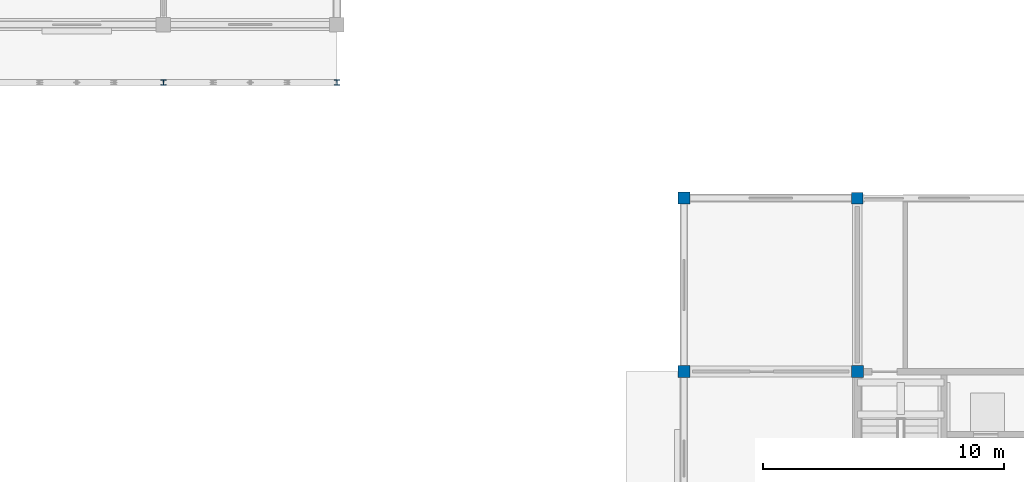
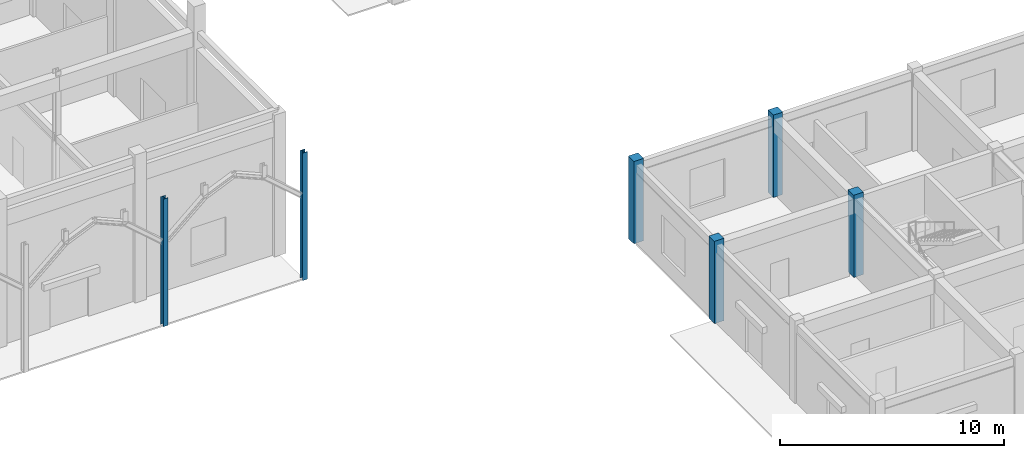
# One storey, part 6 of 138: 6 columns.
"""IFC4 building model written with IfcOpenShell, lengths in metres."""

import ifcopenshell
import ifcopenshell.guid

model = None  # the IFC model being written
_history = None  # IfcOwnerHistory: only IFC2X3 demands one
_inside = {}  # id of a spatial element -> (the spatial element, [elements in it])
_under = {}  # id of a project, library or spatial element -> (it, [spatial elements below it])
_declared = {}  # id of a project -> (the project, [libraries it declares])
_typed = {}  # id of a type object -> (the type object, [elements of that type])
_made_of = {}  # id of a material, layer set ... -> (it, [elements and type objects made of it])


def new_model(schema):
    """Start an empty IFC model of exactly this schema.

    Asked for "IFC4X3", IfcOpenShell would pick the latest addendum, in which some entities
    have other attributes; the version numbers below select the first issue.
    IFC2X3 requires an IfcOwnerHistory on every rooted entity: one is made here for all.
    """
    global model, _history
    if schema == "IFC4X3":
        model = ifcopenshell.file(schema_version=(4, 3, 0, 0))
    else:
        model = ifcopenshell.file(schema=schema)
    _inside.clear()
    _under.clear()
    _declared.clear()
    _typed.clear()
    _made_of.clear()
    _history = None
    if model.schema == "IFC2X3":
        org = make("IfcOrganization", Name="unknown")
        user = make(
            "IfcPersonAndOrganization",
            ThePerson=make("IfcPerson", FamilyName="unknown"),
            TheOrganization=org,
        )
        app = make(
            "IfcApplication",
            ApplicationDeveloper=org,
            Version="unknown",
            ApplicationFullName="unknown",
            ApplicationIdentifier="unknown",
        )
        _history = make(
            "IfcOwnerHistory",
            OwningUser=user,
            OwningApplication=app,
            ChangeAction="ADDED",
            CreationDate=0,
        )
    return model


def make(cls, **values):
    """One entity of the class cls with the attributes given. An attribute that is None is left unset."""
    return model.create_entity(
        cls, **{name: value for name, value in values.items() if value is not None}
    )


def rooted(cls, **values):
    """An entity with a GlobalId (a new one), such as an element, a storey or a relation."""
    return make(cls, GlobalId=ifcopenshell.guid.new(), OwnerHistory=_history, **values)


def si_unit(unit_type, name, prefix=None):
    """IfcSIUnit, for example si_unit("LENGTHUNIT", "METRE", prefix="MILLI")."""
    return make("IfcSIUnit", UnitType=unit_type, Prefix=prefix, Name=name)


def assignment(units):
    """IfcUnitAssignment: the units of a project."""
    return None if units is None else make("IfcUnitAssignment", Units=units)


def point(xyz):
    """IfcCartesianPoint."""
    return None if xyz is None else make("IfcCartesianPoint", Coordinates=xyz)


def direction(xyz):
    """IfcDirection."""
    return None if xyz is None else make("IfcDirection", DirectionRatios=xyz)


def frame(location, z_axis=None, x_axis=None):
    """IfcAxis2Placement3D, a coordinate frame: its origin and axes. An axis left out is left unset."""
    return make(
        "IfcAxis2Placement3D",
        Location=point(location),
        Axis=direction(z_axis),
        RefDirection=direction(x_axis),
    )


def frame_2d(location, x_axis=None):
    """IfcAxis2Placement2D, a coordinate frame in the plane: its origin and x axis."""
    return make(
        "IfcAxis2Placement2D", Location=point(location), RefDirection=direction(x_axis)
    )


def origin():
    """The frame at (0, 0, 0) with its axes left unset."""
    return frame((0.0, 0.0, 0.0))


def origin_2d():
    """The frame at (0, 0) in the plane with its x axis left unset."""
    return frame_2d((0.0, 0.0))


def place(relative_to, where):
    """IfcLocalPlacement: puts the frame where relative to a parent placement (None: the world)."""
    return make(
        "IfcLocalPlacement", PlacementRelTo=relative_to, RelativePlacement=where
    )


def context(
    kind, dimensions, precision=None, world=None, true_north=None, identifier=None
):
    """IfcGeometricRepresentationContext, for example the 3D "Model" context."""
    return make(
        "IfcGeometricRepresentationContext",
        ContextIdentifier=identifier,
        ContextType=kind,
        CoordinateSpaceDimension=dimensions,
        Precision=precision,
        WorldCoordinateSystem=world,
        TrueNorth=true_north,
    )


def subcontext(parent, identifier, kind, view, scale=None):
    """IfcGeometricRepresentationSubContext, for example "Body" below "Model"."""
    return make(
        "IfcGeometricRepresentationSubContext",
        ContextIdentifier=identifier,
        ContextType=kind,
        ParentContext=parent,
        TargetScale=scale,
        TargetView=view,
    )


def project(units=None, contexts=None):
    """IfcProject with its units and contexts."""
    return rooted(
        "IfcProject",
        Name="project",
        RepresentationContexts=contexts,
        UnitsInContext=assignment(units),
    )


def spatial(cls, under=None, at=None, **own):
    """A site, building, storey or space (cls), placed at a placement, below another one or the project."""
    s = rooted(cls, ObjectPlacement=at, **own)
    if under is not None:
        _under.setdefault(under.id(), (under, []))[1].append(s)
    return s


def profile(cls, at=None, kind="AREA", **sizes):
    """A parametric profile (cls). Its sizes go by their IFC names, for example OverallWidth=200.0."""
    return make(cls, ProfileType=kind, Position=at, **sizes)


def rectangle(**sizes):
    """IfcRectangleProfileDef."""
    return profile("IfcRectangleProfileDef", **sizes)


def i_section(**sizes):
    """IfcIShapeProfileDef."""
    return profile("IfcIShapeProfileDef", **sizes)


def extrude(swept, where, along, depth):
    """IfcExtrudedAreaSolid: the profile swept, set in the frame where, extruded along a direction by depth."""
    return make(
        "IfcExtrudedAreaSolid",
        SweptArea=swept,
        Position=where,
        ExtrudedDirection=direction(along),
        Depth=depth,
    )


def shape(context_of_items, identifier, shape_type, items):
    """IfcShapeRepresentation: the items that make up one representation, for example the "Body"."""
    return make(
        "IfcShapeRepresentation",
        ContextOfItems=context_of_items,
        RepresentationIdentifier=identifier,
        RepresentationType=shape_type,
        Items=items,
    )


def material(Name=None, Category=None):
    """IfcMaterial."""
    return make("IfcMaterial", Name=Name, Category=Category)


def material_profile(
    of_material, cross_section, Name=None, Category=None, Priority=None
):
    """IfcMaterialProfile: a cross section and its material."""
    return make(
        "IfcMaterialProfile",
        Name=Name,
        Material=of_material,
        Profile=cross_section,
        Priority=Priority,
        Category=Category,
    )


def profile_set(profiles, Name=None, composite=None):
    """IfcMaterialProfileSet."""
    return make(
        "IfcMaterialProfileSet",
        Name=Name,
        MaterialProfiles=profiles,
        CompositeProfile=composite,
    )


def made_of(thing, what):
    """Note that an element or type object is made of a material, layer set ...; save() writes the relation."""
    if what is not None:
        _made_of.setdefault(what.id(), (what, []))[1].append(thing)
    return thing


def type_object(cls, material=None, **own):
    """A type object (cls), such as IfcWallType, which elements share."""
    return made_of(rooted(cls, **own), material)


def element(
    cls,
    number,
    at=None,
    inside=None,
    cuts=None,
    type_object=None,
    material=None,
    context=None,
    identifier="Body",
    shape_type=None,
    held_by="IfcProductDefinitionShape",
    body=None,
    shapes=None,
    **own,
):
    """One element of the class cls, such as IfcWall. Its Tag is "e" and its number.

    at: its placement. inside: the storey or other place that contains it. cuts: it is an
    opening in that element (IfcRelVoidsElement). A single representation is given by context,
    identifier, shape_type and body (its items); several are given by shapes. held_by: the class
    of the entity that holds the representations. save() writes the other relations.
    """
    e = rooted(cls, Tag="e%d" % number, ObjectPlacement=at, **own)
    if body is not None:
        shapes = [shape(context, identifier, shape_type, body)]
    if shapes is not None:
        e.Representation = make(held_by, Representations=shapes)
    if inside is not None:
        _inside.setdefault(inside.id(), (inside, []))[1].append(e)
    if cuts is not None:
        rooted(
            "IfcRelVoidsElement", RelatingBuildingElement=cuts, RelatedOpeningElement=e
        )
    if type_object is not None:
        _typed.setdefault(type_object.id(), (type_object, []))[1].append(e)
    return made_of(e, material)


def aggregate(whole, parts):
    """IfcRelAggregates: a whole, such as a stair, and the parts it consists of."""
    return rooted("IfcRelAggregates", RelatingObject=whole, RelatedObjects=parts)


def save(model, path):
    """Write the relations noted so far, then the file.

    IfcRelAggregates (storeys below a building ...), IfcRelContainedInSpatialStructure (elements
    in a storey), IfcRelDefinesByType, IfcRelAssociatesMaterial and IfcRelDeclares: one each for
    every whole, place, type object, material and project.
    """
    for whole, parts in _under.values():
        aggregate(whole, parts)
    for where, things in _inside.values():
        rooted(
            "IfcRelContainedInSpatialStructure",
            RelatedElements=things,
            RelatingStructure=where,
        )
    for kind, things in _typed.values():
        rooted("IfcRelDefinesByType", RelatedObjects=things, RelatingType=kind)
    for what, things in _made_of.values():
        rooted("IfcRelAssociatesMaterial", RelatedObjects=things, RelatingMaterial=what)
    for by, libraries in _declared.values():
        rooted("IfcRelDeclares", RelatingContext=by, RelatedDefinitions=libraries)
    model.write(path)


model = new_model("IFC4")

# Units and contexts
model_context = context("Model", 3, precision=1e-05, world=origin(), true_north=direction((0.0, 1.0)))
body_context = subcontext(model_context, "Body", "Model", "MODEL_VIEW")
ifc_project = project(units=[si_unit("LENGTHUNIT", "METRE"), si_unit("AREAUNIT", "SQUARE_METRE"), si_unit("VOLUMEUNIT", "CUBIC_METRE"), si_unit("PLANEANGLEUNIT", "RADIAN"), si_unit("MASSUNIT", "GRAM", prefix="KILO"), si_unit("THERMODYNAMICTEMPERATUREUNIT", "KELVIN"), si_unit("POWERUNIT", "WATT")], contexts=[model_context])

# Site, building, storey
site_placement = place(None, origin())
site = spatial("IfcSite", under=ifc_project, at=site_placement, CompositionType="ELEMENT")
building_placement = place(site_placement, origin())
building = spatial("IfcBuilding", under=site, at=building_placement, Name="Tavuni Mirador Residences", CompositionType="ELEMENT")
storey_placement = place(building_placement, origin())
storey = spatial("IfcBuildingStorey", under=building, at=storey_placement, Name="L00", CompositionType="ELEMENT", Elevation=0.0)

# Columns
ifc_material_1 = material(Name="Precast concrete C40/50", Category="concrete")
ifc_material_profile_1 = material_profile(ifc_material_1, rectangle(XDim=0.47998046875, YDim=0.47998046875, at=origin_2d()), Name="CORAL 480x480", Category="concrete")
ifc_profile_set_1 = profile_set([ifc_material_profile_1], Name="Precast concrete C40/50")
column_type_1 = type_object("IfcColumnType", Name="CT-PIL480", PredefinedType="PILASTER", material=ifc_profile_set_1)
column_placement = place(storey_placement, frame((97.199951171875, 64.800048828125, 0.0), z_axis=(0.0, 0.0, 1.0), x_axis=(1.0, 0.0, 0.0)))
element("IfcColumn", 1, at=column_placement, inside=storey, type_object=column_type_1, Name="COL-PAV-NURS-L00-01-03", PredefinedType="PILASTER", context=body_context, shape_type="SweptSolid", body=[
    extrude(rectangle(XDim=0.47998046875, YDim=0.47998046875, at=origin_2d()), origin(), (0.0, 0.0, 1.0), 4.5),
])
ifc_material_profile_2 = material_profile(ifc_material_1, rectangle(XDim=0.5, YDim=0.5, at=origin_2d()), Name="RC 500x500", Category="concrete")
ifc_profile_set_2 = profile_set([ifc_material_profile_2], Name="Precast concrete C40/50")
column_type_2 = type_object("IfcColumnType", Name="CT-RC500", PredefinedType="COLUMN", material=ifc_profile_set_2)
for number, where, z_axis, x_axis, name in (
    (2, (90.0, 57.60009765625, 0.0), (0.0, 0.0, 1.0), (1.0, 0.0, 0.0), "COL-PAV-NURS-L00-00-02"),
    (3, (90.0, 64.800048828125, 0.0), (0.0, 0.0, 1.0), (1.0, 0.0, 0.0), "COL-PAV-NURS-L00-00-03"),
    (4, (97.199951171875, 57.60009765625, 0.0), (0.0, 0.0, 1.0), (1.0, 0.0, 0.0), "COL-PAV-NURS-L00-01-02"),
):
    element("IfcColumn", number, at=place(storey_placement, frame(where, z_axis=z_axis, x_axis=x_axis)), inside=storey, type_object=column_type_2, Name=name, PredefinedType="COLUMN", context=body_context, shape_type="SweptSolid", body=[
        extrude(rectangle(XDim=0.5, YDim=0.5, at=origin_2d()), origin(), (0.0, 0.0, 1.0), 4.5),
    ])
ifc_material_2 = material(Name="Structural steel S355", Category="steel")
ifc_material_profile_3 = material_profile(ifc_material_2, i_section(OverallWidth=0.239990234375, OverallDepth=0.239990234375, WebThickness=0.010009765625, FlangeThickness=0.01708984375, FilletRadius=0.02099609375, at=origin_2d()), Name="HEB 240", Category="steel")
ifc_profile_set_3 = profile_set([ifc_material_profile_3], Name="Structural steel S355")
column_type_3 = type_object("IfcColumnType", Name="CT-ST-HEB240", PredefinedType="COLUMN", material=ifc_profile_set_3)
for number, where, z_axis, x_axis, name in (
    (5, (68.39990234375, 69.60009765625, 0.0), (0.0, 0.0, 1.0), (1.0, 0.0, 0.0), "COL-HALL-EAVE-S-04"),
    (6, (75.60009765625, 69.60009765625, 0.0), (0.0, 0.0, 1.0), (1.0, 0.0, 0.0), "COL-HALL-EAVE-S-05"),
):
    element("IfcColumn", number, at=place(storey_placement, frame(where, z_axis=z_axis, x_axis=x_axis)), inside=storey, type_object=column_type_3, Name=name, PredefinedType="COLUMN", context=body_context, shape_type="SweptSolid", body=[
        extrude(i_section(OverallWidth=0.239990234375, OverallDepth=0.239990234375, WebThickness=0.010009765625, FlangeThickness=0.01708984375, FilletRadius=0.02099609375, at=origin_2d()), origin(), (0.0, 0.0, 1.0), 6.96337890625),
    ])

save(model, "model.ifc")
